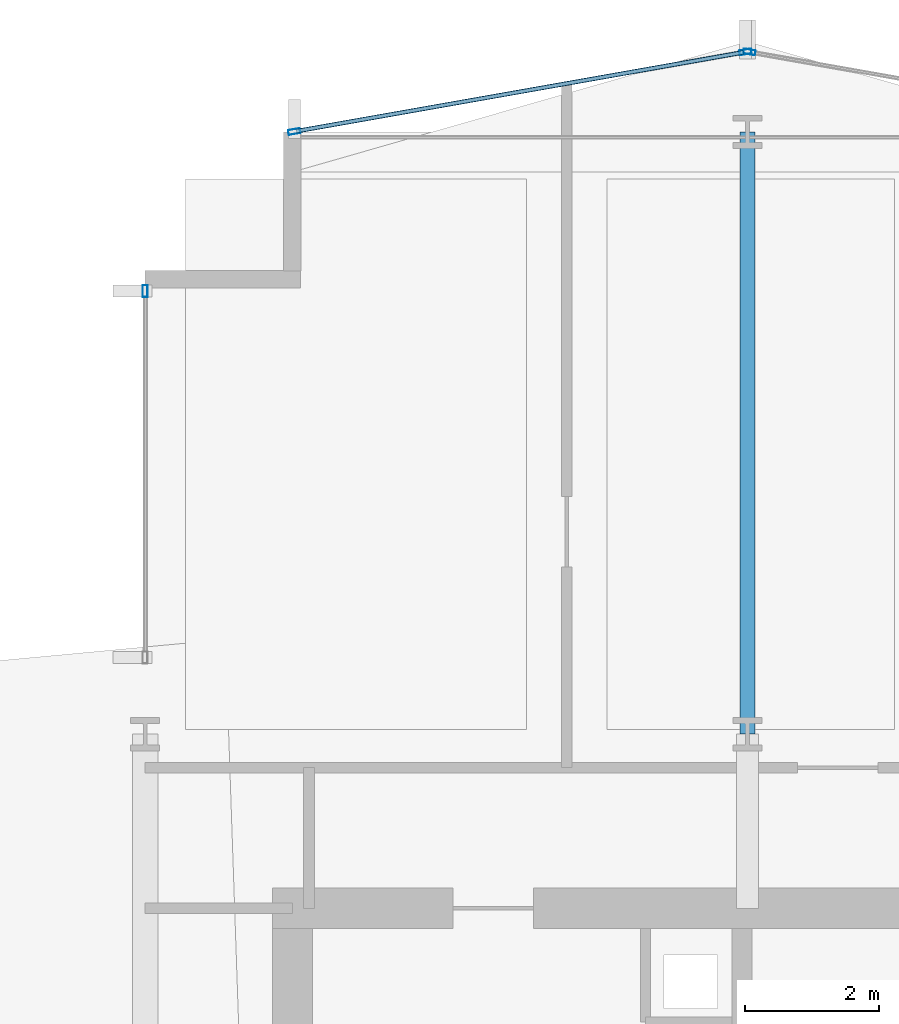
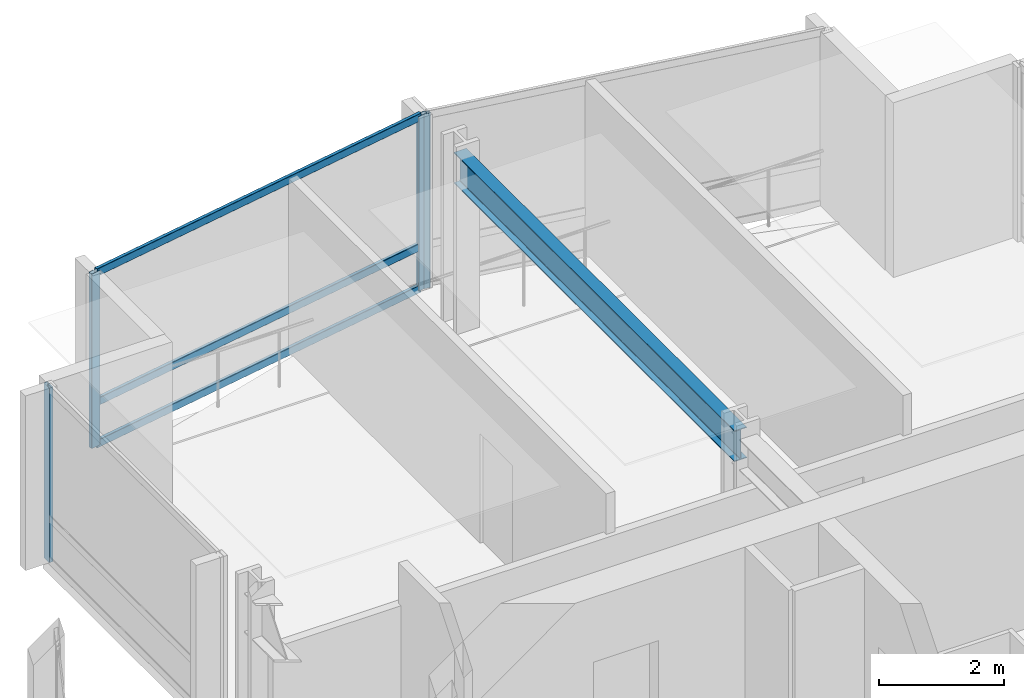
# One storey, part 23 of 34: 7 members, 1 beam, 3 elements without a shape of their own.
"""IFC4 building model written with IfcOpenShell, lengths in metres."""

from ifc_helpers import new_model, si_unit, direction, frame, origin, origin_2d, place, context, subcontext, project, spatial, hollow_rectangle, i_section, extrude, material, layer, layer_set, material_profile, profile_set, type_object, element, aggregate, save


model = new_model("IFC4")

# Units and contexts
model_context = context("Model", 3, precision=1e-05, world=origin(), true_north=direction((0.0, 1.0)))
body_context = subcontext(model_context, "Body", "Model", "MODEL_VIEW")
ifc_project = project(units=[si_unit("LENGTHUNIT", "METRE"), si_unit("AREAUNIT", "SQUARE_METRE"), si_unit("VOLUMEUNIT", "CUBIC_METRE"), si_unit("PLANEANGLEUNIT", "RADIAN"), si_unit("MASSUNIT", "GRAM", prefix="KILO")], contexts=[model_context])

# Site, building, storey
site_placement = place(None, origin())
site = spatial("IfcSite", under=ifc_project, at=site_placement, CompositionType="ELEMENT")
building_placement = place(site_placement, origin())
building = spatial("IfcBuilding", under=site, at=building_placement, Name="Solvaryn Broadcast Tower", CompositionType="ELEMENT")
storey_placement = place(building_placement, frame((0.0, 0.0, 43.39990234375)))
storey = spatial("IfcBuildingStorey", under=building, at=storey_placement, Name="L09", CompositionType="ELEMENT", Elevation=43.39990234375)

# Beam
ifc_material_1 = material(Name="Steel ASTM A992 Grade 50", Category="steel")
ifc_material_profile_1 = material_profile(ifc_material_1, i_section(OverallWidth=0.22802734375, OverallDepth=0.60791015625, WebThickness=0.01123046875, FlangeThickness=0.017333984375, FilletRadius=0.014892578125, at=origin_2d()))
ifc_profile_set_1 = profile_set([ifc_material_profile_1], Name="Steel ASTM A992 Grade 50")
beam_type = type_object("IfcBeamType", Name="BM-B2-W24X76", PredefinedType="BEAM", material=ifc_profile_set_1)
beam_placement = place(storey_placement, frame((18.0, 45.0, 3.1162109375), z_axis=(0.0, 1.0, 0.0), x_axis=(-1.0, 0.0, 0.0)))
element("IfcBeam", 1, at=beam_placement, inside=storey, type_object=beam_type, Name="L09 Primary Beam Y (45-54 @ X=18)", PredefinedType="BEAM", context=body_context, shape_type="SweptSolid", body=[
    extrude(i_section(OverallWidth=0.22802734375, OverallDepth=0.60791015625, WebThickness=0.01123046875, FlangeThickness=0.017333984375, FilletRadius=0.014892578125, at=origin_2d()), origin(), (0.0, 0.0, 1.0), 9.0),
])

# Curtain wall, member
ifc_material_2 = material(Name="Aluminium and Terracotta Unitised Curtain Wall", Category="masonry")
ifc_layer = layer(ifc_material_2, 0.199951171875)
ifc_layer_set = layer_set([ifc_layer], Name="CW-SYS2-LOWMID")
curtain_wall_type = type_object("IfcCurtainWallType", Name="CW-SYS2-LOWMID", PredefinedType="NOTDEFINED", material=ifc_layer_set)
curtain_wall_1_placement = place(storey_placement, origin())
curtain_wall_1 = element("IfcCurtainWall", 2, at=curtain_wall_1_placement, inside=storey, type_object=curtain_wall_type, Name="L09 Curtain Wall W2", PredefinedType="NOTDEFINED")
ifc_material_3 = material(Name="Anodised Aluminium 6063-T6", Category="aluminium")
ifc_material_profile_2 = material_profile(ifc_material_3, hollow_rectangle(XDim=0.074951171875, YDim=0.179931640625, WallThickness=0.00390625, InnerFilletRadius=0.00390625, OuterFilletRadius=0.008056640625, at=origin_2d()))
ifc_profile_set_2 = profile_set([ifc_material_profile_2], Name="Anodised Aluminium 6063-T6")
member_type_1 = type_object("IfcMemberType", Name="CW-MUL-180", PredefinedType="MULLION", material=ifc_profile_set_2)
member_1_placement = place(storey_placement, frame((9.0, 51.6201171875, 0.0), z_axis=(0.0, 0.0, 1.0), x_axis=(-1.0, 0.0, 0.0)))
member_1 = element("IfcMember", 3, at=member_1_placement, type_object=member_type_1, Name="CWS2 mullion 2", PredefinedType="MULLION", context=body_context, shape_type="SweptSolid", body=[
    extrude(hollow_rectangle(XDim=0.074951171875, YDim=0.179931640625, WallThickness=0.00390625, InnerFilletRadius=0.00390625, OuterFilletRadius=0.008056640625, at=origin_2d()), origin(), (0.0, 0.0, 1.0), 3.420166015625),
])
aggregate(curtain_wall_1, [member_1])

curtain_wall_2_placement = place(storey_placement, origin())
curtain_wall_2 = element("IfcCurtainWall", 4, at=curtain_wall_2_placement, inside=storey, type_object=curtain_wall_type, Name="L09 Curtain Wall NT1", PredefinedType="NOTDEFINED")
member_2_placement = place(storey_placement, frame((18.029541015625, 55.19482421875, 0.0), z_axis=(0.0, 0.0, 1.0), x_axis=(-0.173785333901, -0.984783558819, 0.0)))
member_2 = element("IfcMember", 5, at=member_2_placement, type_object=member_type_1, Name="CWS2 mullion 2", PredefinedType="MULLION", context=body_context, shape_type="SweptSolid", body=[
    extrude(hollow_rectangle(XDim=0.074951171875, YDim=0.179931640625, WallThickness=0.00390625, InnerFilletRadius=0.00390625, OuterFilletRadius=0.008056640625, at=origin_2d()), origin(), (0.0, 0.0, 1.0), 3.420166015625),
])
aggregate(curtain_wall_2, [member_2])

# Curtain wall, members
curtain_wall_3_placement = place(storey_placement, origin())
curtain_wall_3 = element("IfcCurtainWall", 6, at=curtain_wall_3_placement, inside=storey, type_object=curtain_wall_type, Name="L09 Curtain Wall NT2", PredefinedType="NOTDEFINED")
member_3_placement = place(storey_placement, frame((17.970458984375, 55.19482421875, 0.0), z_axis=(0.0, 0.0, 1.0), x_axis=(0.173785333901, -0.984783558819, 0.0)))
member_3 = element("IfcMember", 7, at=member_3_placement, type_object=member_type_1, Name="CWS2 mullion 1", PredefinedType="MULLION", context=body_context, shape_type="SweptSolid", body=[
    extrude(hollow_rectangle(XDim=0.074951171875, YDim=0.179931640625, WallThickness=0.00390625, InnerFilletRadius=0.00390625, OuterFilletRadius=0.008056640625, at=origin_2d()), origin(), (0.0, 0.0, 1.0), 3.420166015625),
])
member_4_placement = place(storey_placement, frame((11.2294921875, 54.005126953125, 0.0), z_axis=(0.0, 0.0, 1.0), x_axis=(0.173785333901, -0.984783558819, 0.0)))
member_4 = element("IfcMember", 8, at=member_4_placement, type_object=member_type_1, Name="CWS2 mullion 2", PredefinedType="MULLION", context=body_context, shape_type="SweptSolid", body=[
    extrude(hollow_rectangle(XDim=0.074951171875, YDim=0.179931640625, WallThickness=0.00390625, InnerFilletRadius=0.00390625, OuterFilletRadius=0.008056640625, at=origin_2d()), origin(), (0.0, 0.0, 1.0), 3.420166015625),
])
ifc_material_4 = material(Name="Anodised Aluminium 6063-T6", Category="aluminium")
ifc_material_profile_3 = material_profile(ifc_material_4, hollow_rectangle(XDim=0.06494140625, YDim=0.14990234375, WallThickness=0.00390625, InnerFilletRadius=0.00390625, OuterFilletRadius=0.008056640625, at=origin_2d()))
ifc_profile_set_3 = profile_set([ifc_material_profile_3], Name="Anodised Aluminium 6063-T6")
member_type_2 = type_object("IfcMemberType", Name="CW-TRN-150", PredefinedType="USERDEFINED", material=ifc_profile_set_3)
member_5_placement = place(storey_placement, frame((17.94091796875, 55.189453125, 0.030029296875), z_axis=(-0.984788629673, -0.173756596613, 0.0), x_axis=(0.173756596613, -0.984788629673, 0.0)))
member_5 = element("IfcMember", 9, at=member_5_placement, type_object=member_type_2, Name="CWS2 transom 1.1", ObjectType="TRANSOM", PredefinedType="USERDEFINED", context=body_context, shape_type="SweptSolid", body=[
    extrude(hollow_rectangle(XDim=0.06494140625, YDim=0.14990234375, WallThickness=0.00390625, InnerFilletRadius=0.00390625, OuterFilletRadius=0.008056640625, at=origin_2d()), origin(), (0.0, 0.0, 1.0), 6.78515625),
])
member_6_placement = place(storey_placement, frame((17.94091796875, 55.189453125, 0.85009765625), z_axis=(-0.984788629673, -0.173756596613, 0.0), x_axis=(0.173756596613, -0.984788629673, 0.0)))
member_6 = element("IfcMember", 10, at=member_6_placement, type_object=member_type_2, Name="CWS2 transom 1.2", ObjectType="TRANSOM", PredefinedType="USERDEFINED", context=body_context, shape_type="SweptSolid", body=[
    extrude(hollow_rectangle(XDim=0.06494140625, YDim=0.14990234375, WallThickness=0.00390625, InnerFilletRadius=0.00390625, OuterFilletRadius=0.008056640625, at=origin_2d()), origin(), (0.0, 0.0, 1.0), 6.78515625),
])
member_7_placement = place(storey_placement, frame((17.94091796875, 55.189453125, 3.39013671875), z_axis=(-0.984788629673, -0.173756596613, 0.0), x_axis=(0.173756596613, -0.984788629673, 0.0)))
member_7 = element("IfcMember", 11, at=member_7_placement, type_object=member_type_2, Name="CWS2 transom 1.3", ObjectType="TRANSOM", PredefinedType="USERDEFINED", context=body_context, shape_type="SweptSolid", body=[
    extrude(hollow_rectangle(XDim=0.06494140625, YDim=0.14990234375, WallThickness=0.00390625, InnerFilletRadius=0.00390625, OuterFilletRadius=0.008056640625, at=origin_2d()), origin(), (0.0, 0.0, 1.0), 6.78515625),
])
aggregate(curtain_wall_3, [member_3, member_4, member_5, member_6, member_7])

save(model, "model.ifc")
